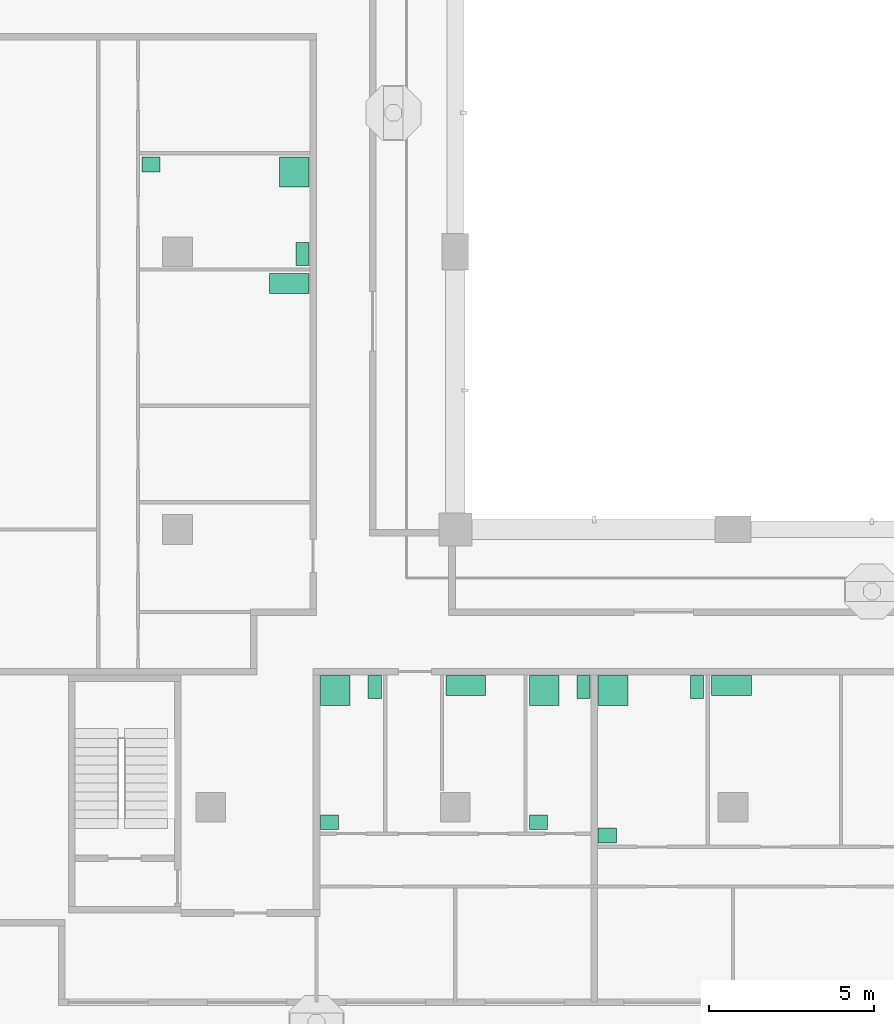
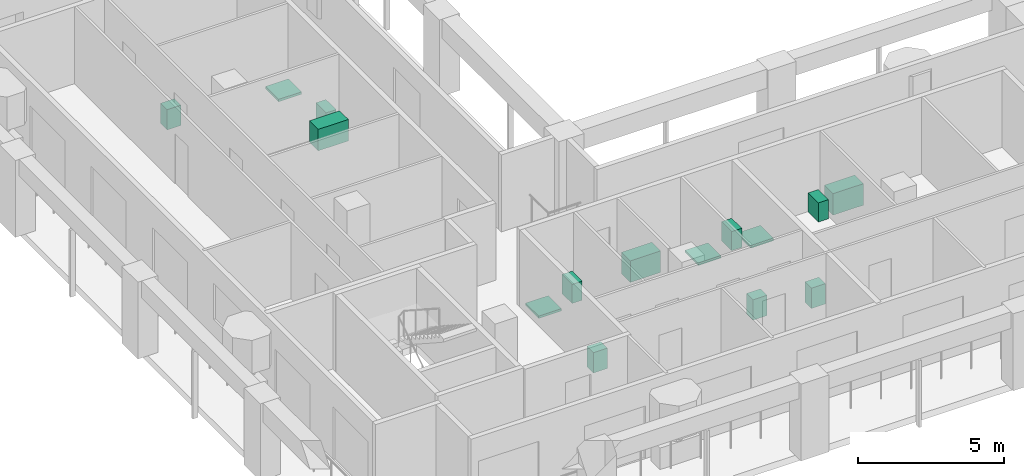
# One storey, part 10 of 12: 15 sanitary terminals.
"""IFC4 building model written with IfcOpenShell, lengths in metres."""

from ifc_helpers import new_model, si_unit, direction, frame, origin, origin_2d, place, context, subcontext, project, spatial, rectangle, extrude, material, element, save


model = new_model("IFC4")

# Units and contexts
model_context = context("Model", 3, precision=1e-05, world=origin(), true_north=direction((0.0, 1.0)))
body_context = subcontext(model_context, "Body", "Model", "MODEL_VIEW")
ifc_project = project(units=[si_unit("LENGTHUNIT", "METRE"), si_unit("AREAUNIT", "SQUARE_METRE"), si_unit("VOLUMEUNIT", "CUBIC_METRE"), si_unit("PLANEANGLEUNIT", "RADIAN"), si_unit("MASSUNIT", "GRAM", prefix="KILO")], contexts=[model_context])

# Site, building, storey
site_placement = place(None, origin())
site = spatial("IfcSite", under=ifc_project, at=site_placement, CompositionType="ELEMENT")
building_placement = place(site_placement, origin())
building = spatial("IfcBuilding", under=site, at=building_placement, Name="Vermilion Gate Residences", CompositionType="ELEMENT")
storey_placement = place(building_placement, frame((0.0, 0.0, 242.199951171875)))
storey = spatial("IfcBuildingStorey", under=building, at=storey_placement, Name="L63", CompositionType="ELEMENT", Elevation=242.199951171875)

# Sanitary terminals
ifc_material_1 = material(Name="Vitreous china")
sanitary_terminal_1_placement = place(storey_placement, frame((21.570068359375, 20.330078125, 0.0), z_axis=(0.0, 0.0, 1.0), x_axis=(1.0, 0.0, 0.0)))
element("IfcSanitaryTerminal", 1, at=sanitary_terminal_1_placement, inside=storey, material=ifc_material_1, Name="Shower tray", PredefinedType="SHOWER", context=body_context, shape_type="SweptSolid", body=[
    extrude(rectangle(XDim=0.89990234375, YDim=0.89990234375, at=origin_2d()), origin(), (0.0, 0.0, 1.0), 0.10009765625),
])
sanitary_terminal_2_placement = place(storey_placement, frame((22.760009765625, 20.429931640625, 0.0), z_axis=(0.0, 0.0, 1.0), x_axis=(1.0, 0.0, 0.0)))
element("IfcSanitaryTerminal", 2, at=sanitary_terminal_2_placement, inside=storey, material=ifc_material_1, Name="Toilet", PredefinedType="TOILETPAN", context=body_context, shape_type="SweptSolid", body=[
    extrude(rectangle(XDim=0.39990234375, YDim=0.699951171875, at=origin_2d()), origin(), (0.0, 0.0, 1.0), 0.800048828125),
])
sanitary_terminal_3_placement = place(storey_placement, frame((21.39501953125, 16.344970703125, 0.0), z_axis=(0.0, 0.0, 1.0), x_axis=(1.0, 0.0, 0.0)))
element("IfcSanitaryTerminal", 3, at=sanitary_terminal_3_placement, inside=storey, material=ifc_material_1, Name="Wash basin", PredefinedType="WASHHANDBASIN", context=body_context, shape_type="SweptSolid", body=[
    extrude(rectangle(XDim=0.550048828125, YDim=0.449951171875, at=origin_2d()), origin(), (0.0, 0.0, 1.0), 0.85009765625),
])
ifc_material_2 = material(Name="Stainless steel", Category="steel")
sanitary_terminal_4_placement = place(storey_placement, frame((25.52001953125, 20.47998046875, 0.0), z_axis=(0.0, 0.0, 1.0), x_axis=(1.0, 0.0, 0.0)))
element("IfcSanitaryTerminal", 4, at=sanitary_terminal_4_placement, inside=storey, material=ifc_material_2, Name="Kitchen sink", PredefinedType="SINK", context=body_context, shape_type="SweptSolid", body=[
    extrude(rectangle(XDim=1.199951171875, YDim=0.60009765625, at=origin_2d()), origin(), (0.0, 0.0, 1.0), 0.89990234375),
])
sanitary_terminal_5_placement = place(storey_placement, frame((27.889892578125, 20.330078125, 0.0), z_axis=(0.0, 0.0, 1.0), x_axis=(1.0, 0.0, 0.0)))
element("IfcSanitaryTerminal", 5, at=sanitary_terminal_5_placement, inside=storey, material=ifc_material_1, Name="Shower tray", PredefinedType="SHOWER", context=body_context, shape_type="SweptSolid", body=[
    extrude(rectangle(XDim=0.89990234375, YDim=0.89990234375, at=origin_2d()), origin(), (0.0, 0.0, 1.0), 0.10009765625),
])
sanitary_terminal_6_placement = place(storey_placement, frame((29.080078125, 20.429931640625, 0.0), z_axis=(0.0, 0.0, 1.0), x_axis=(1.0, 0.0, 0.0)))
element("IfcSanitaryTerminal", 6, at=sanitary_terminal_6_placement, inside=storey, material=ifc_material_1, Name="Toilet", PredefinedType="TOILETPAN", context=body_context, shape_type="SweptSolid", body=[
    extrude(rectangle(XDim=0.39990234375, YDim=0.699951171875, at=origin_2d()), origin(), (0.0, 0.0, 1.0), 0.800048828125),
])
sanitary_terminal_7_placement = place(storey_placement, frame((27.715087890625, 16.344970703125, 0.0), z_axis=(0.0, 0.0, 1.0), x_axis=(1.0, 0.0, 0.0)))
element("IfcSanitaryTerminal", 7, at=sanitary_terminal_7_placement, inside=storey, material=ifc_material_1, Name="Wash basin", PredefinedType="WASHHANDBASIN", context=body_context, shape_type="SweptSolid", body=[
    extrude(rectangle(XDim=0.550048828125, YDim=0.449951171875, at=origin_2d()), origin(), (0.0, 0.0, 1.0), 0.85009765625),
])
sanitary_terminal_8_placement = place(storey_placement, frame((29.969970703125, 20.330078125, 0.0), z_axis=(0.0, 0.0, 1.0), x_axis=(1.0, 0.0, 0.0)))
element("IfcSanitaryTerminal", 8, at=sanitary_terminal_8_placement, inside=storey, material=ifc_material_1, Name="Shower tray", PredefinedType="SHOWER", context=body_context, shape_type="SweptSolid", body=[
    extrude(rectangle(XDim=0.89990234375, YDim=0.89990234375, at=origin_2d()), origin(), (0.0, 0.0, 1.0), 0.10009765625),
])
sanitary_terminal_9_placement = place(storey_placement, frame((32.512939453125, 20.429931640625, 0.0), z_axis=(0.0, 0.0, 1.0), x_axis=(1.0, 0.0, 0.0)))
element("IfcSanitaryTerminal", 9, at=sanitary_terminal_9_placement, inside=storey, material=ifc_material_1, Name="Toilet", PredefinedType="TOILETPAN", context=body_context, shape_type="SweptSolid", body=[
    extrude(rectangle(XDim=0.39990234375, YDim=0.699951171875, at=origin_2d()), origin(), (0.0, 0.0, 1.0), 0.800048828125),
])
sanitary_terminal_10_placement = place(storey_placement, frame((29.794921875, 15.945068359375, 0.0), z_axis=(0.0, 0.0, 1.0), x_axis=(1.0, 0.0, 0.0)))
element("IfcSanitaryTerminal", 10, at=sanitary_terminal_10_placement, inside=storey, material=ifc_material_1, Name="Wash basin", PredefinedType="WASHHANDBASIN", context=body_context, shape_type="SweptSolid", body=[
    extrude(rectangle(XDim=0.550048828125, YDim=0.449951171875, at=origin_2d()), origin(), (0.0, 0.0, 1.0), 0.85009765625),
])
for number, where, z_axis, x_axis, name in (
    (11, (33.552978515625, 20.47998046875, 0.0), (0.0, 0.0, 1.0), (1.0, 0.0, 0.0), "Kitchen sink"),
    (12, (20.179931640625, 32.639892578125, 0.0), (0.0, 0.0, 1.0), (1.0, 0.0, 0.0), "Kitchen sink"),
):
    element("IfcSanitaryTerminal", number, at=place(storey_placement, frame(where, z_axis=z_axis, x_axis=x_axis)), inside=storey, material=ifc_material_2, Name=name, PredefinedType="SINK", context=body_context, shape_type="SweptSolid", body=[
        extrude(rectangle(XDim=1.199951171875, YDim=0.60009765625, at=origin_2d()), origin(), (0.0, 0.0, 1.0), 0.89990234375),
    ])
sanitary_terminal_11_placement = place(storey_placement, frame((20.330078125, 36.010009765625, 0.0), z_axis=(0.0, 0.0, 1.0), x_axis=(1.0, 0.0, 0.0)))
element("IfcSanitaryTerminal", 13, at=sanitary_terminal_11_placement, inside=storey, material=ifc_material_1, Name="Shower tray", PredefinedType="SHOWER", context=body_context, shape_type="SweptSolid", body=[
    extrude(rectangle(XDim=0.89990234375, YDim=0.89990234375, at=origin_2d()), origin(), (0.0, 0.0, 1.0), 0.10009765625),
])
sanitary_terminal_12_placement = place(storey_placement, frame((20.580078125, 33.530029296875, 0.0), z_axis=(0.0, 0.0, 1.0), x_axis=(1.0, 0.0, 0.0)))
element("IfcSanitaryTerminal", 14, at=sanitary_terminal_12_placement, inside=storey, material=ifc_material_1, Name="Toilet", PredefinedType="TOILETPAN", context=body_context, shape_type="SweptSolid", body=[
    extrude(rectangle(XDim=0.39990234375, YDim=0.699951171875, at=origin_2d()), origin(), (0.0, 0.0, 1.0), 0.800048828125),
])
sanitary_terminal_13_placement = place(storey_placement, frame((15.9951171875, 36.235107421875, 0.0), z_axis=(0.0, 0.0, 1.0), x_axis=(1.0, 0.0, 0.0)))
element("IfcSanitaryTerminal", 15, at=sanitary_terminal_13_placement, inside=storey, material=ifc_material_1, Name="Wash basin", PredefinedType="WASHHANDBASIN", context=body_context, shape_type="SweptSolid", body=[
    extrude(rectangle(XDim=0.550048828125, YDim=0.449951171875, at=origin_2d()), origin(), (0.0, 0.0, 1.0), 0.85009765625),
])

save(model, "model.ifc")
